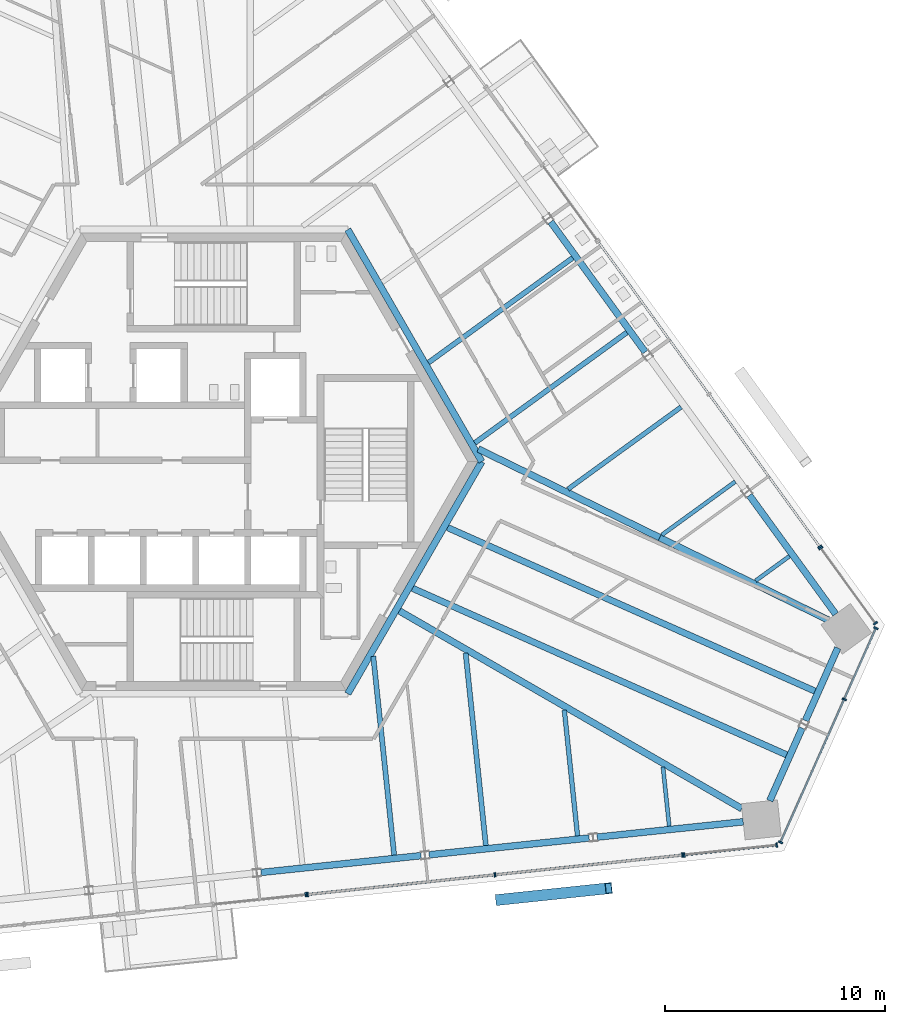
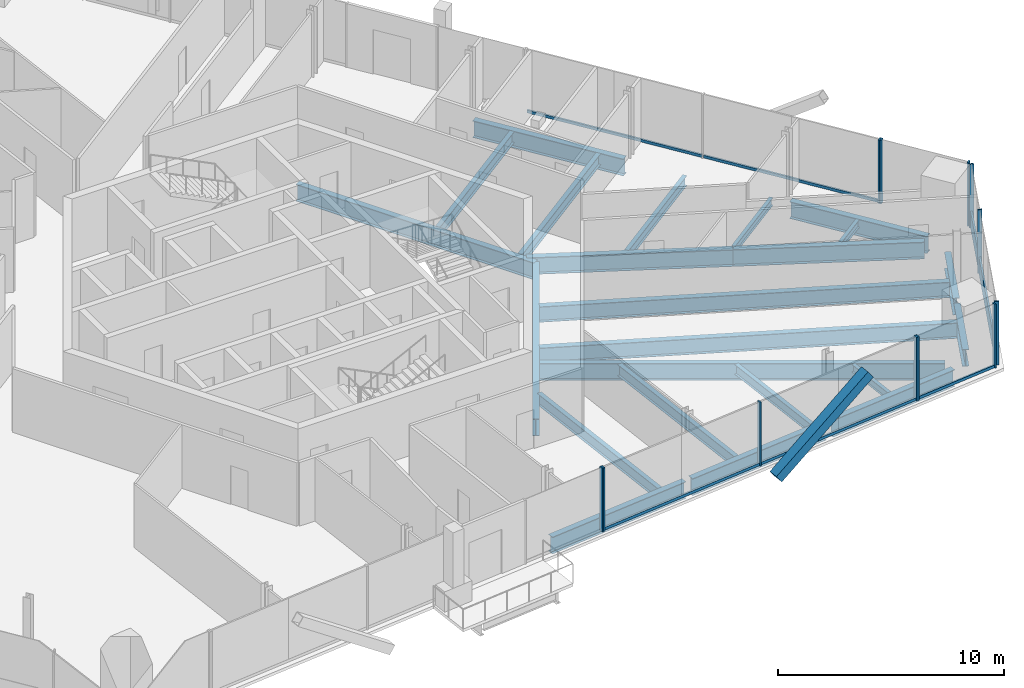
# One storey, part 6 of 19: 23 beams, 20 members, 6 elements without a shape of their own.
"""IFC4 building model written with IfcOpenShell, lengths in metres."""

from ifc_helpers import new_model, si_unit, direction, frame, origin, origin_2d, place, context, subcontext, project, spatial, rectangle, hollow_rectangle, i_section, extrude, source, transform, mapped, material, material_profile, profile_set, type_object, element, aggregate, save


model = new_model("IFC4")

# Units and contexts
model_context = context("Model", 3, precision=1e-05, world=origin(), true_north=direction((0.0, 1.0)))
body_context = subcontext(model_context, "Body", "Model", "MODEL_VIEW")
ifc_project = project(units=[si_unit("LENGTHUNIT", "METRE"), si_unit("AREAUNIT", "SQUARE_METRE"), si_unit("VOLUMEUNIT", "CUBIC_METRE"), si_unit("PLANEANGLEUNIT", "RADIAN"), si_unit("MASSUNIT", "GRAM", prefix="KILO")], contexts=[model_context])

# Site, building, storey
site_placement = place(None, origin())
site = spatial("IfcSite", under=ifc_project, at=site_placement, CompositionType="ELEMENT")
building_placement = place(site_placement, origin())
building = spatial("IfcBuilding", under=site, at=building_placement, Name="Triune Harvest Tower", CompositionType="ELEMENT")
storey_placement = place(building_placement, frame((0.0, 0.0, 244.89990234375)))
storey = spatial("IfcBuildingStorey", under=building, at=storey_placement, Name="L64", CompositionType="ELEMENT", Elevation=244.89990234375)

# Curtain wall, member
ifc_material_1 = material(Name="Aluminium bronze anodised", Category="aluminium")
curtain_wall_type_1 = type_object("IfcCurtainWallType", Name="CW-6 Balcony window wall", PredefinedType="NOTDEFINED", material=ifc_material_1)
curtain_wall_1_placement = place(storey_placement, origin())
curtain_wall_1 = element("IfcCurtainWall", 1, at=curtain_wall_1_placement, inside=storey, type_object=curtain_wall_type_1, Name="CW-6 B6-F5 L64 run 2002")
ifc_material_2 = material(Name="Aluminium bronze anodised", Category="aluminium")
ifc_material_profile_1 = material_profile(ifc_material_2, rectangle(XDim=0.090087890625, YDim=0.14990234375, at=origin_2d()), Name="TR-6 transom 90 x 150")
ifc_profile_set_1 = profile_set([ifc_material_profile_1], Name="Aluminium bronze anodised")
member_type_1 = type_object("IfcMemberType", Name="TR-6 transom 90 x 150", PredefinedType="USERDEFINED", material=ifc_profile_set_1)
member_1_placement = place(storey_placement, frame((21.408203125, -17.863525390625, 0.0751953125), z_axis=(0.994518335018, 0.10456233219, 0.0), x_axis=(-0.10456233219, 0.994518335018, 0.0)))
member_1 = element("IfcMember", 2, at=member_1_placement, type_object=member_type_1, Name="CW-6 transom B6-F5 2002.1", ObjectType="TRANSOM", PredefinedType="USERDEFINED", context=body_context, shape_type="SweptSolid", body=[
    extrude(rectangle(XDim=0.090087890625, YDim=0.14990234375, at=origin_2d()), origin(), (0.0, 0.0, 1.0), 4.1513671875),
])

# Beams
ifc_material_3 = material(Name="Steel ASTM A992 Gr 50", Category="steel")
ifc_material_profile_2 = material_profile(ifc_material_3, i_section(OverallWidth=0.3046875, OverallDepth=0.914306640625, WebThickness=0.0166015625, FlangeThickness=0.02587890625, at=origin_2d()), Name="W36x160")
ifc_profile_set_2 = profile_set([ifc_material_profile_2], Name="Steel ASTM A992 Gr 50")
beam_type_1 = type_object("IfcBeamType", Name="CG-1 Core ring girder W36x160", PredefinedType="BEAM", material=ifc_profile_set_2)
shared_shape_1 = source(origin(), body_context, "Body", "SweptSolid", [
    extrude(i_section(OverallWidth=0.3046875, OverallDepth=0.914306640625, WebThickness=0.0166015625, FlangeThickness=0.02587890625, at=origin_2d()), origin(), (0.0, 0.0, 1.0), 12.176025390625),
])
for number, where, z_axis, x_axis, name in (
    (3, (12.176025390625, 0.0, -0.6171875), (-0.5000099932, 0.866019634131, 0.0), (-0.866019634131, -0.5000099932, 0.0), "beam/L64/CG1"),
    (4, (6.087890625, -10.544677734375, -0.6171875), (0.5000099932, 0.866019634131, 0.0), (-0.866019634131, 0.5000099932, 0.0), "beam/L64/CG6"),
):
    element("IfcBeam", number, at=place(storey_placement, frame(where, z_axis=z_axis, x_axis=x_axis)), inside=storey, type_object=beam_type_1, Name=name, PredefinedType="BEAM", context=body_context, shape_type="MappedRepresentation", body=[
        mapped(shared_shape_1, transform((0.0, 0.0, 0.0), scale=1.0)),
    ])
ifc_material_4 = material(Name="Steel ASTM A992 Gr 50", Category="steel")
ifc_material_profile_3 = material_profile(ifc_material_4, i_section(OverallWidth=0.3046875, OverallDepth=0.914306640625, WebThickness=0.0166015625, FlangeThickness=0.02587890625, at=origin_2d()), Name="W36x160")
ifc_profile_set_3 = profile_set([ifc_material_profile_3], Name="Steel ASTM A992 Gr 50")
beam_type_2 = type_object("IfcBeamType", Name="HG-3 Hip girder W36x160", PredefinedType="BEAM", material=ifc_profile_set_3)
shared_shape_2 = source(origin(), body_context, "Body", "SweptSolid", [
    extrude(i_section(OverallWidth=0.3046875, OverallDepth=0.914306640625, WebThickness=0.0166015625, FlangeThickness=0.02587890625, at=origin_2d()), origin(), (0.0, 0.0, 1.0), 9.168212890625),
])
beam_1_placement = place(storey_placement, frame((20.2587890625, -3.451171875, -0.6171875), z_axis=(-0.898521846145, 0.438928800605, 0.0), x_axis=(-0.438928800605, -0.898521846145, 0.0)))
element("IfcBeam", 5, at=beam_1_placement, inside=storey, type_object=beam_type_2, Name="beam/L64/HG2", PredefinedType="BEAM", context=body_context, shape_type="MappedRepresentation", body=[
    mapped(shared_shape_2, transform((0.0, 0.0, 0.0), scale=1.0)),
])
ifc_material_5 = material(Name="Steel ASTM A992 Gr 50", Category="steel")
ifc_material_profile_4 = material_profile(ifc_material_5, i_section(OverallWidth=0.3046875, OverallDepth=0.914306640625, WebThickness=0.0166015625, FlangeThickness=0.02587890625, at=origin_2d()), Name="W36x160")
ifc_profile_set_4 = profile_set([ifc_material_profile_4], Name="Steel ASTM A992 Gr 50")
beam_type_3 = type_object("IfcBeamType", Name="SB-1 Spandrel beam W36x160", PredefinedType="SPANDREL", material=ifc_profile_set_4)
shared_shape_3 = source(origin(), body_context, "Body", "SweptSolid", [
    extrude(i_section(OverallWidth=0.3046875, OverallDepth=0.914306640625, WebThickness=0.0166015625, FlangeThickness=0.02587890625, at=origin_2d()), origin(), (0.0, 0.0, 1.0), 6.67041015625),
])
for number, where, z_axis, x_axis, name in (
    (6, (28.256591796875, -6.927734375, -0.6171875), (-0.587797324645, 0.80900822316, 0.0), (-0.80900822316, -0.587797324645, 0.0), "beam/L64/SB1"),
    (7, (17.421630859375, -17.060302734375, -0.6171875), (0.994521485501, 0.104532362822, 0.0), (-0.104532362822, 0.994521485501, 0.0), "beam/L64/SB22"),
):
    element("IfcBeam", number, at=place(storey_placement, frame(where, z_axis=z_axis, x_axis=x_axis)), inside=storey, type_object=beam_type_3, Name=name, PredefinedType="SPANDREL", context=body_context, shape_type="MappedRepresentation", body=[
        mapped(shared_shape_3, transform((0.0, 0.0, 0.0), scale=1.0)),
    ])
shared_shape_4 = source(origin(), body_context, "Body", "SweptSolid", [
    extrude(i_section(OverallWidth=0.3046875, OverallDepth=0.914306640625, WebThickness=0.0166015625, FlangeThickness=0.02587890625, at=origin_2d()), origin(), (0.0, 0.0, 1.0), 7.31103515625),
])
for number, where, z_axis, x_axis, name in (
    (8, (19.60546875, 4.9794921875, -0.6171875), (-0.587786436325, 0.809016134124, 0.0), (-0.809016134124, -0.587786436325, 0.0), "beam/L64/SB3"),
    (9, (9.784423828125, -17.863037109375, -0.6171875), (0.994522639393, 0.104521384101, 0.0), (-0.104521384101, 0.994522639393, 0.0), "beam/L64/SB21"),
):
    element("IfcBeam", number, at=place(storey_placement, frame(where, z_axis=z_axis, x_axis=x_axis)), inside=storey, type_object=beam_type_3, Name=name, PredefinedType="SPANDREL", context=body_context, shape_type="MappedRepresentation", body=[
        mapped(shared_shape_4, transform((0.0, 0.0, 0.0), scale=1.0)),
    ])
shared_shape_5 = source(origin(), body_context, "Body", "SweptSolid", [
    extrude(i_section(OverallWidth=0.3046875, OverallDepth=0.914306640625, WebThickness=0.0166015625, FlangeThickness=0.02587890625, at=origin_2d()), origin(), (0.0, 0.0, 1.0), 3.614990234375),
])
beam_2_placement = place(storey_placement, frame((26.883544921875, -11.767822265625, -0.6171875), z_axis=(0.406758712736, 0.913535631277, 0.0), x_axis=(-0.913535631277, 0.406758712736, 0.0)))
element("IfcBeam", 10, at=beam_2_placement, inside=storey, type_object=beam_type_3, Name="beam/L64/SB24", PredefinedType="SPANDREL", context=body_context, shape_type="MappedRepresentation", body=[
    mapped(shared_shape_5, transform((0.0, 0.0, 0.0), scale=1.0)),
])
shared_shape_6 = source(origin(), body_context, "Body", "SweptSolid", [
    extrude(i_section(OverallWidth=0.3046875, OverallDepth=0.914306640625, WebThickness=0.0166015625, FlangeThickness=0.02587890625, at=origin_2d()), origin(), (0.0, 0.0, 1.0), 7.311279296875),
])
beam_3_placement = place(storey_placement, frame((2.14697265625, -18.665771484375, -0.6171875), z_axis=(0.994523004189, 0.104517913008, 0.0), x_axis=(-0.104517913008, 0.994523004189, 0.0)))
element("IfcBeam", 11, at=beam_3_placement, inside=storey, type_object=beam_type_3, Name="beam/L64/SB20", PredefinedType="SPANDREL", context=body_context, shape_type="MappedRepresentation", body=[
    mapped(shared_shape_6, transform((0.0, 0.0, 0.0), scale=1.0)),
])
shared_shape_7 = source(origin(), body_context, "Body", "SweptSolid", [
    extrude(i_section(OverallWidth=0.3046875, OverallDepth=0.914306640625, WebThickness=0.0166015625, FlangeThickness=0.02587890625, at=origin_2d()), origin(), (0.0, 0.0, 1.0), 3.61474609375),
])
beam_4_placement = place(storey_placement, frame((25.263427734375, -15.406494140625, -0.6171875), z_axis=(0.406783809082, 0.913524456525, 0.0), x_axis=(-0.913524456525, 0.406783809082, 0.0)))
element("IfcBeam", 12, at=beam_4_placement, inside=storey, type_object=beam_type_3, Name="beam/L64/SB23", PredefinedType="SPANDREL", context=body_context, shape_type="MappedRepresentation", body=[
    mapped(shared_shape_7, transform((0.0, 0.0, 0.0), scale=1.0)),
])
shared_shape_8 = source(origin(), body_context, "Body", "SweptSolid", [
    extrude(i_section(OverallWidth=0.3046875, OverallDepth=0.914306640625, WebThickness=0.0166015625, FlangeThickness=0.02587890625, at=origin_2d()), origin(), (0.0, 0.0, 1.0), 8.506591796875),
])
beam_5_placement = place(storey_placement, frame((27.902099609375, -7.18505859375, -0.6171875), z_axis=(-0.898516187924, 0.43894038324, 0.0), x_axis=(-0.43894038324, -0.898516187924, 0.0)))
element("IfcBeam", 13, at=beam_5_placement, inside=storey, type_object=beam_type_2, Name="beam/L64/HG1", PredefinedType="BEAM", context=body_context, shape_type="MappedRepresentation", body=[
    mapped(shared_shape_8, transform((0.0, 0.0, 0.0), scale=1.0)),
])
shared_shape_9 = source(origin(), body_context, "Body", "SweptSolid", [
    extrude(i_section(OverallWidth=0.3046875, OverallDepth=0.914306640625, WebThickness=0.0166015625, FlangeThickness=0.02587890625, at=origin_2d()), origin(), (0.0, 0.0, 1.0), 17.96484375),
])
beam_6_placement = place(storey_placement, frame((23.992919921875, -15.766845703125, -0.6171875), z_axis=(-0.866026717539, 0.499997724503, 0.0), x_axis=(-0.499997724503, -0.866026717539, 0.0)))
element("IfcBeam", 14, at=beam_6_placement, inside=storey, type_object=beam_type_2, Name="beam/L64/HG10", PredefinedType="BEAM", context=body_context, shape_type="MappedRepresentation", body=[
    mapped(shared_shape_9, transform((0.0, 0.0, 0.0), scale=1.0)),
])
ifc_material_6 = material(Name="Steel ASTM A992 Gr 50", Category="steel")
ifc_material_profile_5 = material_profile(ifc_material_6, i_section(OverallWidth=0.180908203125, OverallDepth=0.41650390625, WebThickness=0.010986328125, FlangeThickness=0.01806640625, at=origin_2d()), Name="W16x57")
ifc_profile_set_5 = profile_set([ifc_material_profile_5], Name="Steel ASTM A992 Gr 50")
beam_type_4 = type_object("IfcBeamType", Name="JT-1 Floor joist W16x57", PredefinedType="JOIST", material=ifc_profile_set_5)
shared_shape_10 = source(origin(), body_context, "Body", "SweptSolid", [
    extrude(i_section(OverallWidth=0.180908203125, OverallDepth=0.41650390625, WebThickness=0.010986328125, FlangeThickness=0.01806640625, at=origin_2d()), origin(), (0.0, 0.0, 1.0), 1.89892578125),
])
beam_7_placement = place(storey_placement, frame((26.156005859375, -4.2958984375, -0.3681640625), z_axis=(-0.808980650343, -0.587835272309, 0.0), x_axis=(0.587835272309, -0.808980650343, 0.0)))
element("IfcBeam", 15, at=beam_7_placement, inside=storey, type_object=beam_type_4, Name="beam/L64/JT1", PredefinedType="JOIST", context=body_context, shape_type="MappedRepresentation", body=[
    mapped(shared_shape_10, transform((0.0, 0.0, 0.0), scale=1.0)),
])
shared_shape_11 = source(origin(), body_context, "Body", "SweptSolid", [
    extrude(i_section(OverallWidth=0.180908203125, OverallDepth=0.41650390625, WebThickness=0.010986328125, FlangeThickness=0.01806640625, at=origin_2d()), origin(), (0.0, 0.0, 1.0), 4.122802734375),
])
beam_8_placement = place(storey_placement, frame((23.69384765625, -0.906982421875, -0.3681640625), z_axis=(-0.809017670691, -0.587784321423, 0.0), x_axis=(0.587784321423, -0.809017670691, 0.0)))
element("IfcBeam", 16, at=beam_8_placement, inside=storey, type_object=beam_type_4, Name="beam/L64/JT2", PredefinedType="JOIST", context=body_context, shape_type="MappedRepresentation", body=[
    mapped(shared_shape_11, transform((0.0, 0.0, 0.0), scale=1.0)),
])
ifc_material_7 = material(Name="Steel ASTM A992 Gr 50", Category="steel")
ifc_material_profile_6 = material_profile(ifc_material_7, i_section(OverallWidth=0.2099609375, OverallDepth=0.535888671875, WebThickness=0.010986328125, FlangeThickness=0.017333984375, at=origin_2d()), Name="W21x68")
ifc_profile_set_6 = profile_set([ifc_material_profile_6], Name="Steel ASTM A992 Gr 50")
beam_type_5 = type_object("IfcBeamType", Name="JT-2 Floor joist W21x68", PredefinedType="JOIST", material=ifc_profile_set_6)
shared_shape_12 = source(origin(), body_context, "Body", "SweptSolid", [
    extrude(i_section(OverallWidth=0.2099609375, OverallDepth=0.535888671875, WebThickness=0.010986328125, FlangeThickness=0.017333984375, at=origin_2d()), origin(), (0.0, 0.0, 1.0), 6.346435546875),
])
beam_9_placement = place(storey_placement, frame((21.231689453125, 2.481689453125, -0.427978515625), z_axis=(-0.809002165091, -0.58780566251, 0.0), x_axis=(0.58780566251, -0.809002165091, 0.0)))
element("IfcBeam", 17, at=beam_9_placement, inside=storey, type_object=beam_type_5, Name="beam/L64/JT3", PredefinedType="JOIST", context=body_context, shape_type="MappedRepresentation", body=[
    mapped(shared_shape_12, transform((0.0, 0.0, 0.0), scale=1.0)),
])
ifc_material_8 = material(Name="Steel ASTM A992 Gr 50", Category="steel")
ifc_material_profile_7 = material_profile(ifc_material_8, i_section(OverallWidth=0.22900390625, OverallDepth=0.612060546875, WebThickness=0.011962890625, FlangeThickness=0.01953125, at=origin_2d()), Name="W24x84")
ifc_profile_set_7 = profile_set([ifc_material_profile_7], Name="Steel ASTM A992 Gr 50")
beam_type_6 = type_object("IfcBeamType", Name="JT-3 Floor joist W24x84", PredefinedType="JOIST", material=ifc_profile_set_7)
shared_shape_13 = source(origin(), body_context, "Body", "SweptSolid", [
    extrude(i_section(OverallWidth=0.22900390625, OverallDepth=0.612060546875, WebThickness=0.011962890625, FlangeThickness=0.01953125, at=origin_2d()), origin(), (0.0, 0.0, 1.0), 8.540283203125),
])
beam_10_placement = place(storey_placement, frame((18.769775390625, 5.87060546875, -0.466064453125), z_axis=(-0.809019081634, -0.587782379416, 0.0), x_axis=(0.587782379416, -0.809019081634, 0.0)))
element("IfcBeam", 18, at=beam_10_placement, inside=storey, type_object=beam_type_6, Name="beam/L64/JT4", PredefinedType="JOIST", context=body_context, shape_type="MappedRepresentation", body=[
    mapped(shared_shape_13, transform((0.0, 0.0, 0.0), scale=1.0)),
])
shared_shape_14 = source(origin(), body_context, "Body", "SweptSolid", [
    extrude(i_section(OverallWidth=0.22900390625, OverallDepth=0.612060546875, WebThickness=0.011962890625, FlangeThickness=0.01953125, at=origin_2d()), origin(), (0.0, 0.0, 1.0), 8.099609375),
])
beam_11_placement = place(storey_placement, frame((16.3076171875, 9.25927734375, -0.466064453125), z_axis=(-0.809022748574, -0.587777332235, 0.0), x_axis=(0.587777332235, -0.809022748574, 0.0)))
element("IfcBeam", 19, at=beam_11_placement, inside=storey, type_object=beam_type_6, Name="beam/L64/JT5", PredefinedType="JOIST", context=body_context, shape_type="MappedRepresentation", body=[
    mapped(shared_shape_14, transform((0.0, 0.0, 0.0), scale=1.0)),
])
shared_shape_15 = source(origin(), body_context, "Body", "SweptSolid", [
    extrude(i_section(OverallWidth=0.22900390625, OverallDepth=0.612060546875, WebThickness=0.011962890625, FlangeThickness=0.01953125, at=origin_2d()), origin(), (0.0, 0.0, 1.0), 9.084716796875),
])
beam_12_placement = place(storey_placement, frame((8.19677734375, -17.876708984375, -0.466064453125), z_axis=(-0.104539296445, 0.994520756696, 0.0), x_axis=(-0.994520756696, -0.104539296445, 0.0)))
element("IfcBeam", 20, at=beam_12_placement, inside=storey, type_object=beam_type_6, Name="beam/L64/JT31", PredefinedType="JOIST", context=body_context, shape_type="MappedRepresentation", body=[
    mapped(shared_shape_15, transform((0.0, 0.0, 0.0), scale=1.0)),
])
shared_shape_16 = source(origin(), body_context, "Body", "SweptSolid", [
    extrude(i_section(OverallWidth=0.2099609375, OverallDepth=0.535888671875, WebThickness=0.010986328125, FlangeThickness=0.017333984375, at=origin_2d()), origin(), (0.0, 0.0, 1.0), 5.745849609375),
])
beam_13_placement = place(storey_placement, frame((16.5283203125, -17.0009765625, -0.427978515625), z_axis=(-0.104525532782, 0.99452220337, 0.0), x_axis=(-0.99452220337, -0.104525532782, 0.0)))
element("IfcBeam", 21, at=beam_13_placement, inside=storey, type_object=beam_type_5, Name="beam/L64/JT33", PredefinedType="JOIST", context=body_context, shape_type="MappedRepresentation", body=[
    mapped(shared_shape_16, transform((0.0, 0.0, 0.0), scale=1.0)),
])
shared_shape_17 = source(origin(), body_context, "Body", "SweptSolid", [
    extrude(i_section(OverallWidth=0.180908203125, OverallDepth=0.41650390625, WebThickness=0.010986328125, FlangeThickness=0.01806640625, at=origin_2d()), origin(), (0.0, 0.0, 1.0), 2.70263671875),
])
beam_14_placement = place(storey_placement, frame((20.694091796875, -16.56298828125, -0.3681640625), z_axis=(-0.104520196043, 0.994522764254, 0.0), x_axis=(-0.994522764254, -0.104520196043, 0.0)))
element("IfcBeam", 22, at=beam_14_placement, inside=storey, type_object=beam_type_4, Name="beam/L64/JT34", PredefinedType="JOIST", context=body_context, shape_type="MappedRepresentation", body=[
    mapped(shared_shape_17, transform((0.0, 0.0, 0.0), scale=1.0)),
])
ifc_material_9 = material(Name="Steel ASTM A992 Gr 50", Category="steel")
ifc_material_profile_8 = material_profile(ifc_material_9, i_section(OverallWidth=0.2919921875, OverallDepth=0.8408203125, WebThickness=0.0146484375, FlangeThickness=0.021728515625, at=origin_2d()), Name="W33x130")
ifc_profile_set_8 = profile_set([ifc_material_profile_8], Name="Steel ASTM A992 Gr 50")
beam_type_7 = type_object("IfcBeamType", Name="JT-6 Floor joist W33x130", PredefinedType="JOIST", material=ifc_profile_set_8)
shared_shape_18 = source(origin(), body_context, "Body", "SweptSolid", [
    extrude(i_section(OverallWidth=0.2919921875, OverallDepth=0.8408203125, WebThickness=0.0146484375, FlangeThickness=0.021728515625, at=origin_2d()), origin(), (0.0, 0.0, 1.0), 18.60400390625),
])
beam_15_placement = place(storey_placement, frame((26.025390625, -13.32080078125, -0.580322265625), z_axis=(-0.913546187597, 0.406735003568, 0.0), x_axis=(-0.406735003568, -0.913546187597, 0.0)))
element("IfcBeam", 23, at=beam_15_placement, inside=storey, type_object=beam_type_7, Name="beam/L64/JT35", PredefinedType="JOIST", context=body_context, shape_type="MappedRepresentation", body=[
    mapped(shared_shape_18, transform((0.0, 0.0, 0.0), scale=1.0)),
])
shared_shape_19 = source(origin(), body_context, "Body", "SweptSolid", [
    extrude(i_section(OverallWidth=0.22900390625, OverallDepth=0.612060546875, WebThickness=0.011962890625, FlangeThickness=0.01953125, at=origin_2d()), origin(), (0.0, 0.0, 1.0), 8.7890625),
])
beam_16_placement = place(storey_placement, frame((12.362548828125, -17.438720703125, -0.466064453125), z_axis=(-0.104527173764, 0.9945220309, 0.0), x_axis=(-0.9945220309, -0.104527173764, 0.0)))
element("IfcBeam", 24, at=beam_16_placement, inside=storey, type_object=beam_type_6, Name="beam/L64/JT32", PredefinedType="JOIST", context=body_context, shape_type="MappedRepresentation", body=[
    mapped(shared_shape_19, transform((0.0, 0.0, 0.0), scale=1.0)),
])
shared_shape_20 = source(origin(), body_context, "Body", "SweptSolid", [
    extrude(i_section(OverallWidth=0.2919921875, OverallDepth=0.8408203125, WebThickness=0.0146484375, FlangeThickness=0.021728515625, at=origin_2d()), origin(), (0.0, 0.0, 1.0), 18.270751953125),
])
beam_17_placement = place(storey_placement, frame((27.313720703125, -10.427001953125, -0.580322265625), z_axis=(-0.913545207047, 0.406737205922, 0.0), x_axis=(-0.406737205922, -0.913545207047, 0.0)))
element("IfcBeam", 25, at=beam_17_placement, inside=storey, type_object=beam_type_7, Name="beam/L64/JT36", PredefinedType="JOIST", context=body_context, shape_type="MappedRepresentation", body=[
    mapped(shared_shape_20, transform((0.0, 0.0, 0.0), scale=1.0)),
])

# Member
ifc_material_10 = material(Name="Steel ASTM A572 Gr 50", Category="steel")
ifc_material_profile_9 = material_profile(ifc_material_10, hollow_rectangle(XDim=0.5, YDim=0.5, WallThickness=0.030029296875, at=origin_2d()), Name="Box 500x500x30")
ifc_profile_set_9 = profile_set([ifc_material_profile_9], Name="Steel ASTM A572 Gr 50")
member_type_2 = type_object("IfcMemberType", Name="BR-3 Brace Box 500x500x30", PredefinedType="BRACE", material=ifc_profile_set_9)
shared_shape_21 = source(origin(), body_context, "Body", "SweptSolid", [
    extrude(hollow_rectangle(XDim=0.5, YDim=0.5, WallThickness=0.030029296875, at=origin_2d()), origin(), (0.0, 0.0, 1.0), 6.1708984375),
])
member_2_placement = place(storey_placement, frame((12.9580078125, -19.907958984375, 0.0), z_axis=(0.807731140993, 0.084903557434, 0.583405339199), x_axis=(-0.104537710696, 0.994520923381, 0.0)))
element("IfcMember", 26, at=member_2_placement, inside=storey, type_object=member_type_2, Name="brace/B6-F5/d1/8", PredefinedType="BRACE", context=body_context, shape_type="MappedRepresentation", body=[
    mapped(shared_shape_21, transform((0.0, 0.0, 0.0), scale=1.0)),
])

# Curtain wall, members
ifc_material_11 = material(Name="Aluminium bronze anodised", Category="aluminium")
curtain_wall_type_2 = type_object("IfcCurtainWallType", Name="CW-1 Tower stick curtain wall", PredefinedType="NOTDEFINED", material=ifc_material_11)
curtain_wall_2_placement = place(storey_placement, origin())
curtain_wall_2 = element("IfcCurtainWall", 27, at=curtain_wall_2_placement, inside=storey, type_object=curtain_wall_type_2, Name="CW-1 B6-F6 L64 run 1")
ifc_material_12 = material(Name="Aluminium bronze anodised", Category="aluminium")
ifc_material_profile_10 = material_profile(ifc_material_12, rectangle(XDim=0.199951171875, YDim=0.074951171875, at=origin_2d()), Name="MU-1 mullion 75 x 200")
ifc_profile_set_10 = profile_set([ifc_material_profile_10], Name="Aluminium bronze anodised")
member_type_3 = type_object("IfcMemberType", Name="MU-1 mullion 75 x 200", PredefinedType="MULLION", material=ifc_profile_set_10)
shared_shape_22 = source(origin(), body_context, "Body", "SweptSolid", [
    extrude(rectangle(XDim=0.199951171875, YDim=0.074951171875, at=origin_2d()), origin(), (0.0, 0.0, 1.0), 3.440185546875),
])
member_3_placement = place(storey_placement, frame((25.7529296875, -17.2958984375, 0.0), z_axis=(0.0, 0.0, 1.0), x_axis=(-0.913542531121, 0.406743216086, 0.0)))
member_3 = element("IfcMember", 28, at=member_3_placement, type_object=member_type_3, Name="CW-1 mullion B6-F6 1.1", PredefinedType="MULLION", context=body_context, shape_type="MappedRepresentation", body=[
    mapped(shared_shape_22, transform((0.0, 0.0, 0.0), scale=1.0)),
])
member_4_placement = place(storey_placement, frame((28.646240234375, -10.797119140625, 0.0), z_axis=(0.0, 0.0, 1.0), x_axis=(-0.913542531121, 0.406743216086, 0.0)))
member_4 = element("IfcMember", 29, at=member_4_placement, type_object=member_type_3, Name="CW-1 mullion B6-F6 1.3", PredefinedType="MULLION", context=body_context, shape_type="MappedRepresentation", body=[
    mapped(shared_shape_22, transform((0.0, 0.0, 0.0), scale=1.0)),
])
member_5_placement = place(storey_placement, frame((30.08544921875, -7.56494140625, 0.0), z_axis=(0.0, 0.0, 1.0), x_axis=(-0.913542531121, 0.406743216086, 0.0)))
member_5 = element("IfcMember", 30, at=member_5_placement, type_object=member_type_3, Name="CW-1 mullion B6-F6 1.4", PredefinedType="MULLION", context=body_context, shape_type="MappedRepresentation", body=[
    mapped(shared_shape_22, transform((0.0, 0.0, 0.0), scale=1.0)),
])

curtain_wall_3_placement = place(storey_placement, origin())
curtain_wall_3 = element("IfcCurtainWall", 31, at=curtain_wall_3_placement, inside=storey, type_object=curtain_wall_type_1, Name="CW-6 B6-F1 L64 run 1")
ifc_material_13 = material(Name="Aluminium bronze anodised", Category="aluminium")
ifc_material_profile_11 = material_profile(ifc_material_13, rectangle(XDim=0.199951171875, YDim=0.074951171875, at=origin_2d()), Name="MU-6 mullion 75 x 200")
ifc_profile_set_11 = profile_set([ifc_material_profile_11], Name="Aluminium bronze anodised")
member_type_4 = type_object("IfcMemberType", Name="MU-6 mullion 75 x 200", PredefinedType="MULLION", material=ifc_profile_set_11)
shared_shape_23 = source(origin(), body_context, "Body", "SweptSolid", [
    extrude(rectangle(XDim=0.199951171875, YDim=0.074951171875, at=origin_2d()), origin(), (0.0, 0.0, 1.0), 3.440185546875),
])
member_6_placement = place(storey_placement, frame((30.062255859375, -7.34521484375, 0.0), z_axis=(0.0, 0.0, 1.0), x_axis=(-0.809015634242, -0.58778712435, 0.0)))
member_6 = element("IfcMember", 32, at=member_6_placement, type_object=member_type_4, Name="CW-6 mullion B6-F1 1.1", PredefinedType="MULLION", context=body_context, shape_type="MappedRepresentation", body=[
    mapped(shared_shape_23, transform((0.0, 0.0, 0.0), scale=1.0)),
])
member_7_placement = place(storey_placement, frame((27.578125, -3.926025390625, 0.0), z_axis=(0.0, 0.0, 1.0), x_axis=(-0.809015634242, -0.58778712435, 0.0)))
member_7 = element("IfcMember", 33, at=member_7_placement, type_object=member_type_4, Name="CW-6 mullion B6-F1 1.2", PredefinedType="MULLION", context=body_context, shape_type="MappedRepresentation", body=[
    mapped(shared_shape_23, transform((0.0, 0.0, 0.0), scale=1.0)),
])
aggregate(curtain_wall_3, [member_6, member_7])

# Curtain wall, member
ifc_material_14 = material(Name="Aluminium bronze anodised", Category="aluminium")
curtain_wall_type_3 = type_object("IfcCurtainWallType", Name="CW-10 Balcony window wall with insulated spandrel infill", PredefinedType="NOTDEFINED", material=ifc_material_14)
curtain_wall_4_placement = place(storey_placement, origin())
curtain_wall_4 = element("IfcCurtainWall", 34, at=curtain_wall_4_placement, inside=storey, type_object=curtain_wall_type_3, Name="CW-10 B6-F1 L64 run 1001")
member_8_placement = place(storey_placement, frame((27.5341796875, -3.865478515625, 0.0), z_axis=(0.0, 0.0, 1.0), x_axis=(-0.809016479558, -0.587785960877, 0.0)))
member_8 = element("IfcMember", 35, at=member_8_placement, type_object=member_type_4, Name="CW-10 mullion B6-F1 1001.1", PredefinedType="MULLION", context=body_context, shape_type="MappedRepresentation", body=[
    mapped(shared_shape_23, transform((0.0, 0.0, 0.0), scale=1.0)),
])

curtain_wall_5_placement = place(storey_placement, origin())
curtain_wall_5 = element("IfcCurtainWall", 36, at=curtain_wall_5_placement, inside=storey, type_object=curtain_wall_type_1, Name="CW-6 B6-F5 L64 run 2")
member_9_placement = place(storey_placement, frame((4.18505859375, -19.673828125, 0.0), z_axis=(0.0, 0.0, 1.0), x_axis=(-0.10453505021, 0.994521203031, 0.0)))
member_9 = element("IfcMember", 37, at=member_9_placement, type_object=member_type_4, Name="CW-6 mullion B6-F5 2.2", PredefinedType="MULLION", context=body_context, shape_type="MappedRepresentation", body=[
    mapped(shared_shape_23, transform((0.0, 0.0, 0.0), scale=1.0)),
])
aggregate(curtain_wall_5, [member_9])

# Curtain wall, members
curtain_wall_6_placement = place(storey_placement, origin())
curtain_wall_6 = element("IfcCurtainWall", 38, at=curtain_wall_6_placement, inside=storey, type_object=curtain_wall_type_3, Name="CW-10 B6-F5 L64 run 1002")
member_10_placement = place(storey_placement, frame((4.259765625, -19.665771484375, 0.0), z_axis=(0.0, 0.0, 1.0), x_axis=(-0.104530182042, 0.994521714716, 0.0)))
member_10 = element("IfcMember", 39, at=member_10_placement, type_object=member_type_4, Name="CW-10 mullion B6-F5 1002.1", PredefinedType="MULLION", context=body_context, shape_type="MappedRepresentation", body=[
    mapped(shared_shape_23, transform((0.0, 0.0, 0.0), scale=1.0)),
])
member_11_placement = place(storey_placement, frame((12.778076171875, -18.7705078125, 0.0), z_axis=(0.0, 0.0, 1.0), x_axis=(-0.104530182042, 0.994521714716, 0.0)))
member_11 = element("IfcMember", 40, at=member_11_placement, type_object=member_type_4, Name="CW-10 mullion B6-F5 1002.3", PredefinedType="MULLION", context=body_context, shape_type="MappedRepresentation", body=[
    mapped(shared_shape_23, transform((0.0, 0.0, 0.0), scale=1.0)),
])
member_12_placement = place(storey_placement, frame((21.29638671875, -17.875244140625, 0.0), z_axis=(0.0, 0.0, 1.0), x_axis=(-0.104530182042, 0.994521714716, 0.0)))
member_12 = element("IfcMember", 41, at=member_12_placement, type_object=member_type_4, Name="CW-10 mullion B6-F5 1002.5", PredefinedType="MULLION", context=body_context, shape_type="MappedRepresentation", body=[
    mapped(shared_shape_23, transform((0.0, 0.0, 0.0), scale=1.0)),
])

# Member
member_13_placement = place(storey_placement, frame((21.37109375, -17.867431640625, 0.0), z_axis=(0.0, 0.0, 1.0), x_axis=(-0.104523437905, 0.994522423542, 0.0)))
member_13 = element("IfcMember", 42, at=member_13_placement, type_object=member_type_4, Name="CW-6 mullion B6-F5 2002.1", PredefinedType="MULLION", context=body_context, shape_type="MappedRepresentation", body=[
    mapped(shared_shape_23, transform((0.0, 0.0, 0.0), scale=1.0)),
])

member_14_placement = place(storey_placement, frame((25.57421875, -17.425537109375, 0.0), z_axis=(0.0, 0.0, 1.0), x_axis=(-0.104523437905, 0.994522423542, 0.0)))
member_14 = element("IfcMember", 43, at=member_14_placement, type_object=member_type_4, Name="CW-6 mullion B6-F5 2002.2", PredefinedType="MULLION", context=body_context, shape_type="MappedRepresentation", body=[
    mapped(shared_shape_23, transform((0.0, 0.0, 0.0), scale=1.0)),
])

aggregate(curtain_wall_1, [member_13, member_14, member_1])

ifc_material_15 = material(Name="Aluminium bronze anodised", Category="aluminium")
ifc_material_profile_12 = material_profile(ifc_material_15, rectangle(XDim=0.090087890625, YDim=0.89990234375, at=origin_2d()), Name="TR-1 transom 90 x 900")
ifc_profile_set_12 = profile_set([ifc_material_profile_12], Name="Aluminium bronze anodised")
member_type_5 = type_object("IfcMemberType", Name="TR-1 transom 90 x 900", PredefinedType="USERDEFINED", material=ifc_profile_set_12)
shared_shape_24 = source(origin(), body_context, "Body", "SweptSolid", [
    extrude(rectangle(XDim=0.090087890625, YDim=0.89990234375, at=origin_2d()), origin(), (0.0, 0.0, 1.0), 7.038818359375),
])
member_15_placement = place(storey_placement, frame((25.76806640625, -17.261474609375, 0.4501953125), z_axis=(0.406753052694, 0.913538151433, 0.0), x_axis=(-0.913538151433, 0.406753052694, 0.0)))
member_15 = element("IfcMember", 44, at=member_15_placement, type_object=member_type_5, Name="CW-1 transom B6-F6 1.1", ObjectType="TRANSOM", PredefinedType="USERDEFINED", context=body_context, shape_type="MappedRepresentation", body=[
    mapped(shared_shape_24, transform((0.0, 0.0, 0.0), scale=1.0)),
])

shared_shape_25 = source(origin(), body_context, "Body", "SweptSolid", [
    extrude(rectangle(XDim=0.090087890625, YDim=0.89990234375, at=origin_2d()), origin(), (0.0, 0.0, 1.0), 3.463134765625),
])
member_16_placement = place(storey_placement, frame((28.66162109375, -10.762939453125, 0.4501953125), z_axis=(0.406694368517, 0.913564278317, 0.0), x_axis=(-0.913564278317, 0.406694368517, 0.0)))
member_16 = element("IfcMember", 45, at=member_16_placement, type_object=member_type_5, Name="CW-1 transom B6-F6 1.2", ObjectType="TRANSOM", PredefinedType="USERDEFINED", context=body_context, shape_type="MappedRepresentation", body=[
    mapped(shared_shape_25, transform((0.0, 0.0, 0.0), scale=1.0)),
])

aggregate(curtain_wall_2, [member_3, member_4, member_5, member_15, member_16])

shared_shape_26 = source(origin(), body_context, "Body", "SweptSolid", [
    extrude(rectangle(XDim=0.090087890625, YDim=0.14990234375, at=origin_2d()), origin(), (0.0, 0.0, 1.0), 8.490234375),
])
member_17_placement = place(storey_placement, frame((27.511962890625, -3.8349609375, 0.0751953125), z_axis=(-0.587793768995, 0.80901080656, 0.0), x_axis=(-0.80901080656, -0.587793768995, 0.0)))
member_17 = element("IfcMember", 46, at=member_17_placement, type_object=member_type_1, Name="CW-10 transom B6-F1 1001.1", ObjectType="TRANSOM", PredefinedType="USERDEFINED", context=body_context, shape_type="MappedRepresentation", body=[
    mapped(shared_shape_26, transform((0.0, 0.0, 0.0), scale=1.0)),
])

member_18_placement = place(storey_placement, frame((22.4775390625, 3.094482421875, 0.0751953125), z_axis=(-0.587793768995, 0.80901080656, 0.0), x_axis=(-0.80901080656, -0.587793768995, 0.0)))
member_18 = element("IfcMember", 47, at=member_18_placement, type_object=member_type_1, Name="CW-10 transom B6-F1 1001.2", ObjectType="TRANSOM", PredefinedType="USERDEFINED", context=body_context, shape_type="MappedRepresentation", body=[
    mapped(shared_shape_26, transform((0.0, 0.0, 0.0), scale=1.0)),
])

aggregate(curtain_wall_4, [member_8, member_17, member_18])

member_19_placement = place(storey_placement, frame((4.296875, -19.661865234375, 0.0751953125), z_axis=(0.994522299152, 0.104524621449, 0.0), x_axis=(-0.104524621449, 0.994522299152, 0.0)))
member_19 = element("IfcMember", 48, at=member_19_placement, type_object=member_type_1, Name="CW-10 transom B6-F5 1002.1", ObjectType="TRANSOM", PredefinedType="USERDEFINED", context=body_context, shape_type="MappedRepresentation", body=[
    mapped(shared_shape_26, transform((0.0, 0.0, 0.0), scale=1.0)),
])

member_20_placement = place(storey_placement, frame((12.8154296875, -18.7666015625, 0.0751953125), z_axis=(0.994521984978, 0.104527610681, 0.0), x_axis=(-0.104527610681, 0.994521984978, 0.0)))
member_20 = element("IfcMember", 49, at=member_20_placement, type_object=member_type_1, Name="CW-10 transom B6-F5 1002.2", ObjectType="TRANSOM", PredefinedType="USERDEFINED", context=body_context, shape_type="MappedRepresentation", body=[
    mapped(shared_shape_26, transform((0.0, 0.0, 0.0), scale=1.0)),
])

aggregate(curtain_wall_6, [member_10, member_11, member_12, member_19, member_20])

save(model, "model.ifc")
